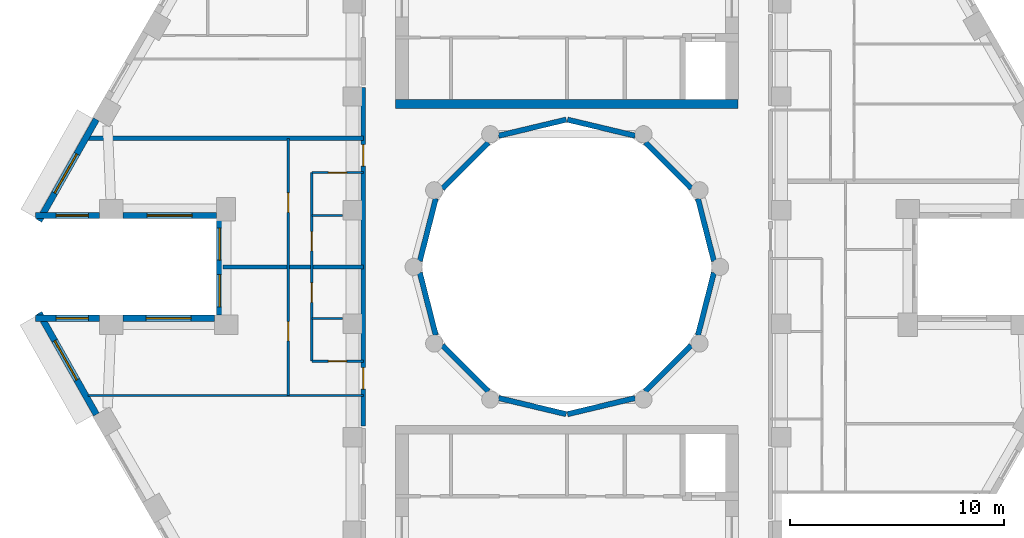
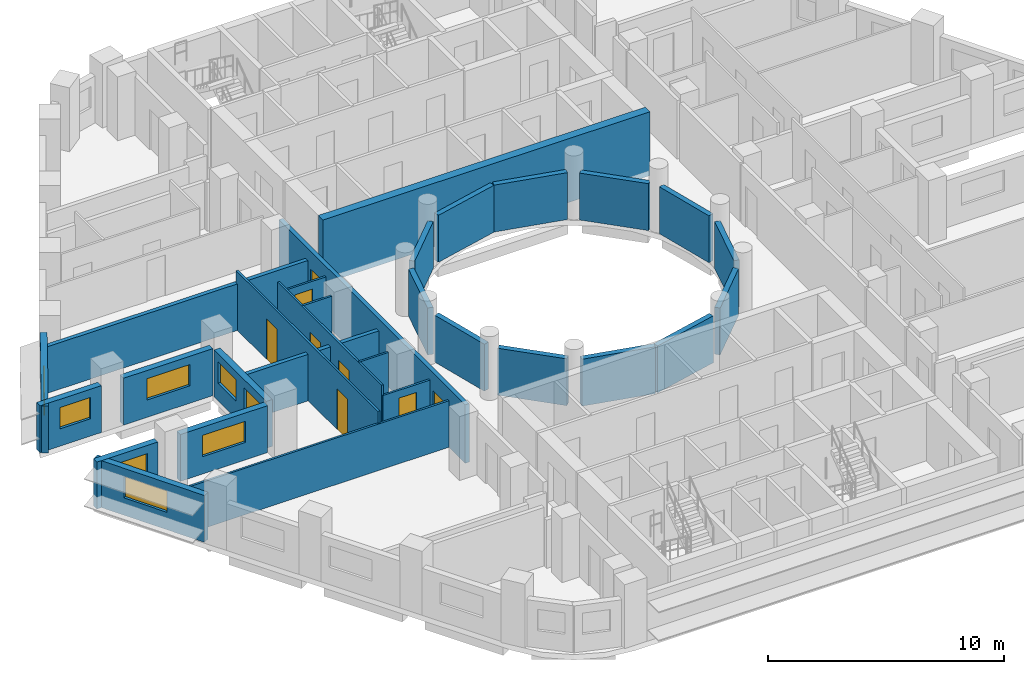
# One storey, part 4 of 12: 30 walls, 8 doors, 8 windows, 16 openings.
"""IFC4 building model written with IfcOpenShell, lengths in metres."""

from ifc_helpers import new_model, si_unit, direction, frame, frame_2d, origin, place, context, subcontext, project, spatial, rectangle, extrude, material, layer, layer_set, type_object, element, fill, save


model = new_model("IFC4")

# Units and contexts
model_context = context("Model", 3, precision=1e-05, world=origin(), true_north=direction((0.0, 1.0)))
body_context = subcontext(model_context, "Body", "Model", "MODEL_VIEW")
ifc_project = project(units=[si_unit("LENGTHUNIT", "METRE"), si_unit("AREAUNIT", "SQUARE_METRE"), si_unit("VOLUMEUNIT", "CUBIC_METRE"), si_unit("PLANEANGLEUNIT", "RADIAN"), si_unit("MASSUNIT", "GRAM", prefix="KILO")], contexts=[model_context])

# Site, building, storey
site_placement = place(None, origin())
site = spatial("IfcSite", under=ifc_project, at=site_placement, CompositionType="ELEMENT")
building_placement = place(site_placement, origin())
building = spatial("IfcBuilding", under=site, at=building_placement, Name="Nakaniwa Court", CompositionType="ELEMENT")
storey_placement = place(building_placement, frame((0.0, 0.0, 249.300048828125)))
storey = spatial("IfcBuildingStorey", under=building, at=storey_placement, Name="L65", CompositionType="ELEMENT", Elevation=249.300048828125)

# Wall, openings, doors
ifc_material_1 = material(Name="Acoustic double stud partition")
ifc_layer_1 = layer(ifc_material_1, 0.199951171875)
ifc_layer_set_1 = layer_set([ifc_layer_1], Name="Acoustic double stud partition")
wall_type_1 = type_object("IfcWallType", Name="Acoustic double stud partition 200", PredefinedType="PARTITIONING", material=ifc_layer_set_1)
wall_1_placement = place(storey_placement, frame((70.5, 72.576904296875, 0.0), z_axis=(0.0, 0.0, 1.0), x_axis=(0.0, 1.0, 0.0)))
wall_1 = element("IfcWall", 1, at=wall_1_placement, inside=storey, type_object=wall_type_1, Name="Partition PW-091", PredefinedType="PARTITIONING", context=body_context, shape_type="SweptSolid", body=[
    extrude(rectangle(XDim=15.7861328125, YDim=0.199951171875, at=frame_2d((7.89306640625, 0.0))), origin(), (0.0, 0.0, 1.0), 3.02490234375),
])
opening_1_placement = place(wall_1_placement, frame((1.722900390625, 0.0, 0.0)))
opening_1 = element("IfcOpeningElement", 2, at=opening_1_placement, cuts=wall_1, Name="Opening D-01-03", PredefinedType="OPENING", context=body_context, shape_type="SweptSolid", body=[
    extrude(rectangle(XDim=1.0, YDim=2.10009765625, at=frame_2d((0.5, 1.050048828125))), frame((0.0, 0.10986328125, 0.0), z_axis=(0.0, -1.0, 0.0), x_axis=(1.0, 0.0, 0.0)), (0.0, 0.0, 1.0), 0.219970703125),
])
opening_2_placement = place(wall_1_placement, frame((12.123046875, 0.0, 0.0)))
opening_2 = element("IfcOpeningElement", 3, at=opening_2_placement, cuts=wall_1, Name="Opening D-01-04", PredefinedType="OPENING", context=body_context, shape_type="SweptSolid", body=[
    extrude(rectangle(XDim=1.0, YDim=2.10009765625, at=frame_2d((0.5, 1.050048828125))), frame((0.0, 0.10986328125, 0.0), z_axis=(0.0, -1.0, 0.0), x_axis=(1.0, 0.0, 0.0)), (0.0, 0.0, 1.0), 0.219970703125),
])
ifc_material_2 = material(Name="Solid core timber door set, black veneer", Category="wood")
door_type_1 = type_object("IfcDoorType", Name="Flat entrance door 1000", OperationType="NOTDEFINED", PredefinedType="DOOR", material=ifc_material_2)
door_1_placement = place(opening_1_placement, origin())
door_1 = element("IfcDoor", 4, at=door_1_placement, inside=storey, type_object=door_type_1, Name="Door D-01-03 L65-047", OperationType="SINGLE_SWING_RIGHT", OverallHeight=2.10009765625, OverallWidth=1.0, PredefinedType="DOOR", context=body_context, shape_type="SweptSolid", body=[
    extrude(rectangle(XDim=1.0, YDim=2.10009765625, at=frame_2d((0.5, 1.050048828125))), frame((0.0, 0.02490234375, 0.0), z_axis=(0.0, -1.0, 0.0), x_axis=(1.0, 0.0, 0.0)), (0.0, 0.0, 1.0), 0.050048828125),
])
fill(opening_1, door_1)
door_2_placement = place(opening_2_placement, origin())
door_2 = element("IfcDoor", 5, at=door_2_placement, inside=storey, type_object=door_type_1, Name="Door D-01-04 L65-051", OperationType="SINGLE_SWING_RIGHT", OverallHeight=2.10009765625, OverallWidth=1.0, PredefinedType="DOOR", context=body_context, shape_type="SweptSolid", body=[
    extrude(rectangle(XDim=1.0, YDim=2.10009765625, at=frame_2d((0.5, 1.050048828125))), frame((0.0, 0.02490234375, 0.0), z_axis=(0.0, -1.0, 0.0), x_axis=(1.0, 0.0, 0.0)), (0.0, 0.0, 1.0), 0.050048828125),
])
fill(opening_2, door_2)

# Walls
wall_2_placement = place(storey_placement, frame((63.950439453125, 80.0, 0.0), z_axis=(0.0, 0.0, 1.0), x_axis=(1.0, 0.0, 0.0)))
element("IfcWall", 6, at=wall_2_placement, inside=storey, type_object=wall_type_1, Name="Partition PW-116", PredefinedType="PARTITIONING", context=body_context, shape_type="SweptSolid", body=[
    extrude(rectangle(XDim=6.549560546875, YDim=0.199951171875, at=frame_2d((3.27490234375, 0.0))), origin(), (0.0, 0.0, 1.0), 2.405029296875),
])
wall_3_placement = place(storey_placement, frame((57.656494140625, 86.0, 0.0), z_axis=(0.0, 0.0, 1.0), x_axis=(1.0, 0.0, 0.0)))
element("IfcWall", 7, at=wall_3_placement, inside=storey, type_object=wall_type_1, Name="Partition PW-120", PredefinedType="PARTITIONING", context=body_context, shape_type="SweptSolid", body=[
    extrude(rectangle(XDim=12.843505859375, YDim=0.199951171875, at=frame_2d((6.421875, 0.0))), origin(), (0.0, 0.0, 1.0), 2.405029296875),
])

# Wall, opening, window
ifc_material_3 = material(Name="Charcoal ceramic cladding")
ifc_layer_2 = layer(ifc_material_3, 0.02, Name="Ceramic cladding")
ifc_material_4 = material(Name="Ventilated air cavity")
ifc_layer_3 = layer(ifc_material_4, 0.04, ventilated=True, Name="Ventilated cavity")
ifc_material_5 = material(Name="Mineral wool insulation")
ifc_layer_4 = layer(ifc_material_5, 0.1, Name="Insulation")
ifc_material_6 = material(Name="Cement bonded sheathing board")
ifc_layer_5 = layer(ifc_material_6, 0.012, Name="Sheathing")
ifc_material_7 = material(Name="Cold-formed galvanised stud frame with mineral wool infill")
ifc_layer_6 = layer(ifc_material_7, 0.1, Name="Stud frame")
ifc_material_8 = material(Name="Fire-rated gypsum plasterboard lining")
ifc_layer_7 = layer(ifc_material_8, 0.028, Name="Lining")
ifc_layer_set_2 = layer_set([ifc_layer_2, ifc_layer_3, ifc_layer_4, ifc_layer_5, ifc_layer_6, ifc_layer_7], Name="Charcoal ceramic faced external wall system")
wall_type_2 = type_object("IfcWallType", Name="Black ceramic faced external wall 300", PredefinedType="SOLIDWALL", material=ifc_layer_set_2)
wall_4_placement = place(storey_placement, frame((58.048095703125, 86.886474609375, 0.0), z_axis=(0.0, 0.0, 1.0), x_axis=(-0.492080931903, -0.870549456641, 0.0)))
wall_4 = element("IfcWall", 8, at=wall_4_placement, inside=storey, type_object=wall_type_2, Name="L65 external wall 14", PredefinedType="SOLIDWALL", context=body_context, shape_type="SweptSolid", body=[
    extrude(rectangle(XDim=5.436767578125, YDim=0.300048828125, at=frame_2d((2.71826171875, 0.0))), origin(), (0.0, 0.0, 1.0), 2.425048828125),
])
opening_3_placement = place(wall_4_placement, frame((1.853759765625, 0.0, 0.89990234375)))
opening_3 = element("IfcOpeningElement", 9, at=opening_3_placement, cuts=wall_4, Name="Opening W7.15", PredefinedType="OPENING", context=body_context, shape_type="SweptSolid", body=[
    extrude(rectangle(XDim=2.10009765625, YDim=1.10009765625, at=frame_2d((1.050048828125, 0.550048828125))), frame((0.0, 0.159912109375, 0.0), z_axis=(0.0, -1.0, 0.0), x_axis=(1.0, 0.0, 0.0)), (0.0, 0.0, 1.0), 0.320068359375),
])
ifc_material_9 = material(Name="Black anodised aluminium frame with dark low-E laminated double glazing", Category="aluminium")
window_type_1 = type_object("IfcWindowType", Name="Dark glass window 2100x1100 sill 900", PartitioningType="SINGLE_PANEL", PredefinedType="WINDOW", material=ifc_material_9)
window_1_placement = place(opening_3_placement, origin())
window_1 = element("IfcWindow", 10, at=window_1_placement, inside=storey, type_object=window_type_1, Name="L65 living window 14-1", OverallHeight=1.10009765625, OverallWidth=2.10009765625, PartitioningType="SINGLE_PANEL", PredefinedType="WINDOW", context=body_context, shape_type="SweptSolid", body=[
    extrude(rectangle(XDim=2.10009765625, YDim=1.10009765625, at=frame_2d((1.050048828125, 0.550048828125))), frame((0.0, 0.030029296875, 0.0), z_axis=(0.0, -1.0, 0.0), x_axis=(1.0, 0.0, 0.0)), (0.0, 0.0, 1.0), 0.06005859375),
])
fill(opening_3, window_1)

wall_5_placement = place(storey_placement, frame((55.2021484375, 82.39990234375, 0.0), z_axis=(0.0, 0.0, 1.0), x_axis=(1.0, 0.0, 0.0)))
wall_5 = element("IfcWall", 11, at=wall_5_placement, inside=storey, type_object=wall_type_2, Name="L65 external wall 15", PredefinedType="SOLIDWALL", context=body_context, shape_type="SweptSolid", body=[
    extrude(rectangle(XDim=2.98779296875, YDim=0.300048828125, at=frame_2d((1.493896484375, 0.0))), origin(), (0.0, 0.0, 1.0), 2.425048828125),
])
opening_4_placement = place(wall_5_placement, frame((0.968994140625, 0.0, 0.89990234375)))
opening_4 = element("IfcOpeningElement", 12, at=opening_4_placement, cuts=wall_5, Name="Opening W5.16", PredefinedType="OPENING", context=body_context, shape_type="SweptSolid", body=[
    extrude(rectangle(XDim=1.5, YDim=1.10009765625, at=frame_2d((0.75, 0.550048828125))), frame((0.0, 0.159912109375, 0.0), z_axis=(0.0, -1.0, 0.0), x_axis=(1.0, 0.0, 0.0)), (0.0, 0.0, 1.0), 0.320068359375),
])
window_type_2 = type_object("IfcWindowType", Name="Dark glass window 1500x1100 sill 900", PartitioningType="SINGLE_PANEL", PredefinedType="WINDOW", material=ifc_material_9)
window_2_placement = place(opening_4_placement, origin())
window_2 = element("IfcWindow", 13, at=window_2_placement, inside=storey, type_object=window_type_2, Name="L65 living window 15-0", OverallHeight=1.10009765625, OverallWidth=1.5, PartitioningType="SINGLE_PANEL", PredefinedType="WINDOW", context=body_context, shape_type="SweptSolid", body=[
    extrude(rectangle(XDim=1.5, YDim=1.10009765625, at=frame_2d((0.75, 0.550048828125))), frame((0.0, 0.030029296875, 0.0), z_axis=(0.0, -1.0, 0.0), x_axis=(1.0, 0.0, 0.0)), (0.0, 0.0, 1.0), 0.06005859375),
])
fill(opening_4, window_2)

wall_6_placement = place(storey_placement, frame((59.281982421875, 82.39990234375, 0.0), z_axis=(0.0, 0.0, 1.0), x_axis=(1.0, 0.0, 0.0)))
wall_6 = element("IfcWall", 14, at=wall_6_placement, inside=storey, type_object=wall_type_2, Name="L65 external wall 16", PredefinedType="SOLIDWALL", context=body_context, shape_type="SweptSolid", body=[
    extrude(rectangle(XDim=4.37255859375, YDim=0.300048828125, at=frame_2d((2.186279296875, 0.0))), origin(), (0.0, 0.0, 1.0), 2.425048828125),
])
opening_5_placement = place(wall_6_placement, frame((1.13623046875, 0.0, 0.89990234375)))
opening_5 = element("IfcOpeningElement", 15, at=opening_5_placement, cuts=wall_6, Name="Opening W7.17", PredefinedType="OPENING", context=body_context, shape_type="SweptSolid", body=[
    extrude(rectangle(XDim=2.10009765625, YDim=1.10009765625, at=frame_2d((1.050048828125, 0.550048828125))), frame((0.0, 0.159912109375, 0.0), z_axis=(0.0, -1.0, 0.0), x_axis=(1.0, 0.0, 0.0)), (0.0, 0.0, 1.0), 0.320068359375),
])
window_3_placement = place(opening_5_placement, origin())
window_3 = element("IfcWindow", 16, at=window_3_placement, inside=storey, type_object=window_type_1, Name="L65 living window 16-0", OverallHeight=1.10009765625, OverallWidth=2.10009765625, PartitioningType="SINGLE_PANEL", PredefinedType="WINDOW", context=body_context, shape_type="SweptSolid", body=[
    extrude(rectangle(XDim=2.10009765625, YDim=1.10009765625, at=frame_2d((1.050048828125, 0.550048828125))), frame((0.0, 0.030029296875, 0.0), z_axis=(0.0, -1.0, 0.0), x_axis=(1.0, 0.0, 0.0)), (0.0, 0.0, 1.0), 0.06005859375),
])
fill(opening_5, window_3)

# Wall, openings, windows
wall_7_placement = place(storey_placement, frame((63.800537109375, 82.154052734375, 0.0), z_axis=(0.0, 0.0, 1.0), x_axis=(0.0, -1.0, 0.0)))
wall_7 = element("IfcWall", 17, at=wall_7_placement, inside=storey, type_object=wall_type_2, Name="L65 external wall 17", PredefinedType="SOLIDWALL", context=body_context, shape_type="SweptSolid", body=[
    extrude(rectangle(XDim=4.407958984375, YDim=0.300048828125, at=frame_2d((2.2041015625, 0.0))), origin(), (0.0, 0.0, 1.0), 2.425048828125),
])
opening_6_placement = place(wall_7_placement, frame((0.339111328125, 0.0, 0.89990234375)))
opening_6 = element("IfcOpeningElement", 18, at=opening_6_placement, cuts=wall_7, Name="Opening W5.18", PredefinedType="OPENING", context=body_context, shape_type="SweptSolid", body=[
    extrude(rectangle(XDim=1.5, YDim=1.10009765625, at=frame_2d((0.75, 0.550048828125))), frame((0.0, 0.159912109375, 0.0), z_axis=(0.0, -1.0, 0.0), x_axis=(1.0, 0.0, 0.0)), (0.0, 0.0, 1.0), 0.320068359375),
])
opening_7_placement = place(wall_7_placement, frame((2.51904296875, 0.0, 0.89990234375)))
opening_7 = element("IfcOpeningElement", 19, at=opening_7_placement, cuts=wall_7, Name="Opening W5.19", PredefinedType="OPENING", context=body_context, shape_type="SweptSolid", body=[
    extrude(rectangle(XDim=1.5, YDim=1.10009765625, at=frame_2d((0.75, 0.550048828125))), frame((0.0, 0.159912109375, 0.0), z_axis=(0.0, -1.0, 0.0), x_axis=(1.0, 0.0, 0.0)), (0.0, 0.0, 1.0), 0.320068359375),
])
window_4_placement = place(opening_6_placement, origin())
window_4 = element("IfcWindow", 20, at=window_4_placement, inside=storey, type_object=window_type_2, Name="L65 living window 17-0", OverallHeight=1.10009765625, OverallWidth=1.5, PartitioningType="SINGLE_PANEL", PredefinedType="WINDOW", context=body_context, shape_type="SweptSolid", body=[
    extrude(rectangle(XDim=1.5, YDim=1.10009765625, at=frame_2d((0.75, 0.550048828125))), frame((0.0, 0.030029296875, 0.0), z_axis=(0.0, -1.0, 0.0), x_axis=(1.0, 0.0, 0.0)), (0.0, 0.0, 1.0), 0.06005859375),
])
fill(opening_6, window_4)
window_5_placement = place(opening_7_placement, origin())
window_5 = element("IfcWindow", 21, at=window_5_placement, inside=storey, type_object=window_type_2, Name="L65 living window 17-1", OverallHeight=1.10009765625, OverallWidth=1.5, PartitioningType="SINGLE_PANEL", PredefinedType="WINDOW", context=body_context, shape_type="SweptSolid", body=[
    extrude(rectangle(XDim=1.5, YDim=1.10009765625, at=frame_2d((0.75, 0.550048828125))), frame((0.0, 0.030029296875, 0.0), z_axis=(0.0, -1.0, 0.0), x_axis=(1.0, 0.0, 0.0)), (0.0, 0.0, 1.0), 0.06005859375),
])
fill(opening_7, window_5)

# Wall, opening, window
wall_8_placement = place(storey_placement, frame((63.554443359375, 77.60009765625, 0.0), z_axis=(0.0, 0.0, 1.0), x_axis=(-1.0, 0.0, 0.0)))
wall_8 = element("IfcWall", 22, at=wall_8_placement, inside=storey, type_object=wall_type_2, Name="L65 external wall 18", PredefinedType="SOLIDWALL", context=body_context, shape_type="SweptSolid", body=[
    extrude(rectangle(XDim=4.2724609375, YDim=0.300048828125, at=frame_2d((2.13623046875, 0.0))), origin(), (0.0, 0.0, 1.0), 2.425048828125),
])
opening_8_placement = place(wall_8_placement, frame((1.086181640625, 0.0, 0.89990234375)))
opening_8 = element("IfcOpeningElement", 23, at=opening_8_placement, cuts=wall_8, Name="Opening W7.20", PredefinedType="OPENING", context=body_context, shape_type="SweptSolid", body=[
    extrude(rectangle(XDim=2.10009765625, YDim=1.10009765625, at=frame_2d((1.050048828125, 0.550048828125))), frame((0.0, 0.159912109375, 0.0), z_axis=(0.0, -1.0, 0.0), x_axis=(1.0, 0.0, 0.0)), (0.0, 0.0, 1.0), 0.320068359375),
])
window_6_placement = place(opening_8_placement, origin())
window_6 = element("IfcWindow", 24, at=window_6_placement, inside=storey, type_object=window_type_1, Name="L65 living window 18-0", OverallHeight=1.10009765625, OverallWidth=2.10009765625, PartitioningType="SINGLE_PANEL", PredefinedType="WINDOW", context=body_context, shape_type="SweptSolid", body=[
    extrude(rectangle(XDim=2.10009765625, YDim=1.10009765625, at=frame_2d((1.050048828125, 0.550048828125))), frame((0.0, 0.030029296875, 0.0), z_axis=(0.0, -1.0, 0.0), x_axis=(1.0, 0.0, 0.0)), (0.0, 0.0, 1.0), 0.06005859375),
])
fill(opening_8, window_6)

wall_9_placement = place(storey_placement, frame((58.18994140625, 77.60009765625, 0.0), z_axis=(0.0, 0.0, 1.0), x_axis=(-1.0, 0.0, 0.0)))
wall_9 = element("IfcWall", 25, at=wall_9_placement, inside=storey, type_object=wall_type_2, Name="L65 external wall 19", PredefinedType="SOLIDWALL", context=body_context, shape_type="SweptSolid", body=[
    extrude(rectangle(XDim=2.98779296875, YDim=0.300048828125, at=frame_2d((1.493896484375, 0.0))), origin(), (0.0, 0.0, 1.0), 2.425048828125),
])
opening_9_placement = place(wall_9_placement, frame((0.51904296875, 0.0, 0.89990234375)))
opening_9 = element("IfcOpeningElement", 26, at=opening_9_placement, cuts=wall_9, Name="Opening W5.21", PredefinedType="OPENING", context=body_context, shape_type="SweptSolid", body=[
    extrude(rectangle(XDim=1.5, YDim=1.10009765625, at=frame_2d((0.75, 0.550048828125))), frame((0.0, 0.159912109375, 0.0), z_axis=(0.0, -1.0, 0.0), x_axis=(1.0, 0.0, 0.0)), (0.0, 0.0, 1.0), 0.320068359375),
])
window_7_placement = place(opening_9_placement, origin())
window_7 = element("IfcWindow", 27, at=window_7_placement, inside=storey, type_object=window_type_2, Name="L65 living window 19-0", OverallHeight=1.10009765625, OverallWidth=1.5, PartitioningType="SINGLE_PANEL", PredefinedType="WINDOW", context=body_context, shape_type="SweptSolid", body=[
    extrude(rectangle(XDim=1.5, YDim=1.10009765625, at=frame_2d((0.75, 0.550048828125))), frame((0.0, 0.030029296875, 0.0), z_axis=(0.0, -1.0, 0.0), x_axis=(1.0, 0.0, 0.0)), (0.0, 0.0, 1.0), 0.06005859375),
])
fill(opening_9, window_7)

wall_10_placement = place(storey_placement, frame((55.372802734375, 77.846435546875, 0.0), z_axis=(0.0, 0.0, 1.0), x_axis=(0.492080931903, -0.870549456641, 0.0)))
wall_10 = element("IfcWall", 28, at=wall_10_placement, inside=storey, type_object=wall_type_2, Name="L65 external wall 20", PredefinedType="SOLIDWALL", context=body_context, shape_type="SweptSolid", body=[
    extrude(rectangle(XDim=5.436767578125, YDim=0.300048828125, at=frame_2d((2.71826171875, 0.0))), origin(), (0.0, 0.0, 1.0), 2.425048828125),
])
opening_10_placement = place(wall_10_placement, frame((1.483154296875, 0.0, 0.89990234375)))
opening_10 = element("IfcOpeningElement", 29, at=opening_10_placement, cuts=wall_10, Name="Opening W7.22", PredefinedType="OPENING", context=body_context, shape_type="SweptSolid", body=[
    extrude(rectangle(XDim=2.10009765625, YDim=1.10009765625, at=frame_2d((1.050048828125, 0.550048828125))), frame((0.0, 0.159912109375, 0.0), z_axis=(0.0, -1.0, 0.0), x_axis=(1.0, 0.0, 0.0)), (0.0, 0.0, 1.0), 0.320068359375),
])
window_8_placement = place(opening_10_placement, origin())
window_8 = element("IfcWindow", 30, at=window_8_placement, inside=storey, type_object=window_type_1, Name="L65 living window 20-0", OverallHeight=1.10009765625, OverallWidth=2.10009765625, PartitioningType="SINGLE_PANEL", PredefinedType="WINDOW", context=body_context, shape_type="SweptSolid", body=[
    extrude(rectangle(XDim=2.10009765625, YDim=1.10009765625, at=frame_2d((1.050048828125, 0.550048828125))), frame((0.0, 0.030029296875, 0.0), z_axis=(0.0, -1.0, 0.0), x_axis=(1.0, 0.0, 0.0)), (0.0, 0.0, 1.0), 0.06005859375),
])
fill(opening_10, window_8)

# Walls
ifc_layer_8 = layer(ifc_material_3, 0.02, Name="Ceramic cladding")
ifc_layer_9 = layer(ifc_material_4, 0.04, ventilated=True, Name="Ventilated cavity")
ifc_layer_10 = layer(ifc_material_5, 0.075, Name="Insulation")
ifc_layer_11 = layer(ifc_material_6, 0.012, Name="Sheathing")
ifc_layer_12 = layer(ifc_material_7, 0.075, Name="Stud frame")
ifc_layer_13 = layer(ifc_material_8, 0.028, Name="Lining")
ifc_layer_set_3 = layer_set([ifc_layer_8, ifc_layer_9, ifc_layer_10, ifc_layer_11, ifc_layer_12, ifc_layer_13], Name="Charcoal ceramic faced external wall system")
wall_type_3 = type_object("IfcWallType", Name="Charcoal ceramic faced well wall 250", PredefinedType="SOLIDWALL", material=ifc_layer_set_3)
wall_11_placement = place(storey_placement, frame((86.8603515625, 79.72998046875, 0.0), z_axis=(0.0, 0.0, 1.0), x_axis=(-0.247055971283, -0.969001211069, 0.0)))
element("IfcWall", 31, at=wall_11_placement, inside=storey, type_object=wall_type_3, Name="L65 external wall 36", PredefinedType="SOLIDWALL", context=body_context, shape_type="SweptSolid", body=[
    extrude(rectangle(XDim=3.010009765625, YDim=0.25, at=frame_2d((1.5048828125, 0.0))), origin(), (0.0, 0.0, 1.0), 2.425048828125),
])
wall_12_placement = place(storey_placement, frame((85.8056640625, 76.339111328125, 0.0), z_axis=(0.0, 0.0, 1.0), x_axis=(-0.707106781187, -0.707106781187, 0.0)))
element("IfcWall", 32, at=wall_12_placement, inside=storey, type_object=wall_type_3, Name="L65 external wall 37", PredefinedType="SOLIDWALL", context=body_context, shape_type="SweptSolid", body=[
    extrude(rectangle(XDim=3.033203125, YDim=0.25, at=frame_2d((1.5166015625, 0.0))), origin(), (0.0, 0.0, 1.0), 2.425048828125),
])
for number, where, z_axis, x_axis, name in (
    (33, (83.186279296875, 73.880615234375, 0.0), (0.0, 0.0, 1.0), (-0.972773113459, -0.231759508395, 0.0), "L65 external wall 38"),
    (34, (79.970947265625, 73.12841796875, 0.0), (0.0, 0.0, 1.0), (-0.972773113459, 0.231759508395, 0.0), "L65 external wall 39"),
):
    element("IfcWall", number, at=place(storey_placement, frame(where, z_axis=z_axis, x_axis=x_axis)), inside=storey, type_object=wall_type_3, Name=name, PredefinedType="SOLIDWALL", context=body_context, shape_type="SweptSolid", body=[
        extrude(rectangle(XDim=3.24560546875, YDim=0.25, at=frame_2d((1.622802734375, 0.0))), origin(), (0.0, 0.0, 1.0), 2.425048828125),
    ])
wall_13_placement = place(storey_placement, frame((76.339111328125, 74.1943359375, 0.0), z_axis=(0.0, 0.0, 1.0), x_axis=(-0.707106781187, 0.707106781187, 0.0)))
element("IfcWall", 35, at=wall_13_placement, inside=storey, type_object=wall_type_3, Name="L65 external wall 40", PredefinedType="SOLIDWALL", context=body_context, shape_type="SweptSolid", body=[
    extrude(rectangle(XDim=3.033203125, YDim=0.25, at=frame_2d((1.5166015625, 0.0))), origin(), (0.0, 0.0, 1.0), 2.425048828125),
])
for number, where, z_axis, x_axis, name in (
    (36, (73.88330078125, 76.813232421875, 0.0), (0.0, 0.0, 1.0), (-0.247055971283, 0.969001211069, 0.0), "L65 external wall 41"),
    (37, (73.1396484375, 80.27001953125, 0.0), (0.0, 0.0, 1.0), (0.247055971283, 0.969001211069, 0.0), "L65 external wall 42"),
):
    element("IfcWall", number, at=place(storey_placement, frame(where, z_axis=z_axis, x_axis=x_axis)), inside=storey, type_object=wall_type_3, Name=name, PredefinedType="SOLIDWALL", context=body_context, shape_type="SweptSolid", body=[
        extrude(rectangle(XDim=3.010009765625, YDim=0.25, at=frame_2d((1.5048828125, 0.0))), origin(), (0.0, 0.0, 1.0), 2.425048828125),
    ])
wall_14_placement = place(storey_placement, frame((74.1943359375, 83.660888671875, 0.0), z_axis=(0.0, 0.0, 1.0), x_axis=(0.707106781187, 0.707106781187, 0.0)))
element("IfcWall", 38, at=wall_14_placement, inside=storey, type_object=wall_type_3, Name="L65 external wall 43", PredefinedType="SOLIDWALL", context=body_context, shape_type="SweptSolid", body=[
    extrude(rectangle(XDim=3.033203125, YDim=0.25, at=frame_2d((1.5166015625, 0.0))), origin(), (0.0, 0.0, 1.0), 2.425048828125),
])
for number, where, z_axis, x_axis, name in (
    (39, (76.813720703125, 86.119384765625, 0.0), (0.0, 0.0, 1.0), (0.972773113459, 0.231759508395, 0.0), "L65 external wall 44"),
    (40, (80.029052734375, 86.87158203125, 0.0), (0.0, 0.0, 1.0), (0.972773113459, -0.231759508395, 0.0), "L65 external wall 45"),
):
    element("IfcWall", number, at=place(storey_placement, frame(where, z_axis=z_axis, x_axis=x_axis)), inside=storey, type_object=wall_type_3, Name=name, PredefinedType="SOLIDWALL", context=body_context, shape_type="SweptSolid", body=[
        extrude(rectangle(XDim=3.24560546875, YDim=0.25, at=frame_2d((1.622802734375, 0.0))), origin(), (0.0, 0.0, 1.0), 2.425048828125),
    ])
wall_15_placement = place(storey_placement, frame((83.660888671875, 85.8056640625, 0.0), z_axis=(0.0, 0.0, 1.0), x_axis=(0.707106781187, -0.707106781187, 0.0)))
element("IfcWall", 41, at=wall_15_placement, inside=storey, type_object=wall_type_3, Name="L65 external wall 46", PredefinedType="SOLIDWALL", context=body_context, shape_type="SweptSolid", body=[
    extrude(rectangle(XDim=3.033203125, YDim=0.25, at=frame_2d((1.5166015625, 0.0))), origin(), (0.0, 0.0, 1.0), 2.425048828125),
])
wall_16_placement = place(storey_placement, frame((86.11669921875, 83.186767578125, 0.0), z_axis=(0.0, 0.0, 1.0), x_axis=(0.247055971283, -0.969001211069, 0.0)))
element("IfcWall", 42, at=wall_16_placement, inside=storey, type_object=wall_type_3, Name="L65 external wall 47", PredefinedType="SOLIDWALL", context=body_context, shape_type="SweptSolid", body=[
    extrude(rectangle(XDim=3.010009765625, YDim=0.25, at=frame_2d((1.5048828125, 0.0))), origin(), (0.0, 0.0, 1.0), 2.425048828125),
])
ifc_material_10 = material(Name="Concrete C80/100", Category="concrete")
ifc_layer_14 = layer(ifc_material_10, 0.39990234375)
ifc_layer_set_4 = layer_set([ifc_layer_14], Name="Concrete C80/100")
wall_type_4 = type_object("IfcWallType", Name="Concrete core well wall 400 C80", PredefinedType="SHEAR", material=ifc_layer_set_4)
wall_17_placement = place(storey_placement, frame((72.00390625, 87.60009765625, -0.275146484375), z_axis=(0.0, 0.0, 1.0), x_axis=(1.0, 0.0, 0.0)))
element("IfcWall", 43, at=wall_17_placement, inside=storey, type_object=wall_type_4, Name="Core wall SW-125", PredefinedType="SHEAR", context=body_context, shape_type="SweptSolid", body=[
    extrude(rectangle(XDim=15.9921875, YDim=0.39990234375, at=frame_2d((7.99609375, 0.0))), origin(), (0.0, 0.0, 1.0), 3.300048828125),
])
ifc_material_11 = material(Name="Single stud plasterboard partition")
ifc_layer_15 = layer(ifc_material_11, 0.10009765625)
ifc_layer_set_5 = layer_set([ifc_layer_15], Name="Single stud plasterboard partition")
wall_type_5 = type_object("IfcWallType", Name="Single stud plasterboard partition 100", PredefinedType="PARTITIONING", material=ifc_layer_set_5)
wall_18_placement = place(storey_placement, frame((57.656494140625, 74.0, 0.0), z_axis=(0.0, 0.0, 1.0), x_axis=(1.0, 0.0, 0.0)))
element("IfcWall", 44, at=wall_18_placement, inside=storey, type_object=wall_type_5, Name="Partition PW-112", PredefinedType="PARTITIONING", context=body_context, shape_type="SweptSolid", body=[
    extrude(rectangle(XDim=12.843505859375, YDim=0.10009765625, at=frame_2d((6.421875, 0.0))), origin(), (0.0, 0.0, 1.0), 2.405029296875),
])
wall_19_placement = place(storey_placement, frame((68.10009765625, 77.60009765625, 0.0), z_axis=(0.0, 0.0, 1.0), x_axis=(1.0, 0.0, 0.0)))
element("IfcWall", 45, at=wall_19_placement, inside=storey, type_object=wall_type_5, Name="Partition PW-113", PredefinedType="PARTITIONING", context=body_context, shape_type="SweptSolid", body=[
    extrude(rectangle(XDim=1.429931640625, YDim=0.10009765625, at=frame_2d((0.71484375, 0.0))), origin(), (0.0, 0.0, 1.0), 3.02490234375),
])

# Wall, opening, door
wall_20_placement = place(storey_placement, frame((68.10009765625, 75.60009765625, 0.0), z_axis=(0.0, 0.0, 1.0), x_axis=(1.0, 0.0, 0.0)))
wall_20 = element("IfcWall", 46, at=wall_20_placement, inside=storey, type_object=wall_type_5, Name="Partition PW-114", PredefinedType="PARTITIONING", context=body_context, shape_type="SweptSolid", body=[
    extrude(rectangle(XDim=2.39990234375, YDim=0.10009765625, at=frame_2d((1.199951171875, 0.0))), origin(), (0.0, 0.0, 1.0), 2.5048828125),
])
opening_11_placement = place(wall_20_placement, frame((0.77490234375, 0.0, 0.0)))
opening_11 = element("IfcOpeningElement", 47, at=opening_11_placement, cuts=wall_20, Name="Opening D-03-04", PredefinedType="OPENING", context=body_context, shape_type="SweptSolid", body=[
    extrude(rectangle(XDim=0.85009765625, YDim=2.10009765625, at=frame_2d((0.425048828125, 1.050048828125))), frame((0.0, 0.06005859375, 0.0), z_axis=(0.0, -1.0, 0.0), x_axis=(1.0, 0.0, 0.0)), (0.0, 0.0, 1.0), 0.1201171875),
])
ifc_material_12 = material(Name="Moisture sealed timber door set", Category="wood")
door_type_2 = type_object("IfcDoorType", Name="Bathroom door 850", OperationType="NOTDEFINED", PredefinedType="DOOR", material=ifc_material_12)
door_3_placement = place(opening_11_placement, origin())
door_3 = element("IfcDoor", 48, at=door_3_placement, inside=storey, type_object=door_type_2, Name="Door D-03-04 L65-048", OperationType="SINGLE_SWING_LEFT", OverallHeight=2.10009765625, OverallWidth=0.85009765625, PredefinedType="DOOR", context=body_context, shape_type="SweptSolid", body=[
    extrude(rectangle(XDim=0.85009765625, YDim=2.10009765625, at=frame_2d((0.425048828125, 1.050048828125))), frame((0.0, 0.02490234375, 0.0), z_axis=(0.0, -1.0, 0.0), x_axis=(1.0, 0.0, 0.0)), (0.0, 0.0, 1.0), 0.050048828125),
])
fill(opening_11, door_3)

# Wall, openings, doors
wall_21_placement = place(storey_placement, frame((68.10009765625, 84.39990234375, 0.0), z_axis=(0.0, 0.0, 1.0), x_axis=(0.0, -1.0, 0.0)))
wall_21 = element("IfcWall", 49, at=wall_21_placement, inside=storey, type_object=wall_type_5, Name="Partition PW-115", PredefinedType="PARTITIONING", context=body_context, shape_type="SweptSolid", body=[
    extrude(rectangle(XDim=8.7998046875, YDim=0.10009765625, at=frame_2d((4.39990234375, 0.0))), origin(), (0.0, 0.0, 1.0), 3.02490234375),
])
opening_12_placement = place(wall_21_placement, frame((5.14990234375, 0.0, 0.0)))
opening_12 = element("IfcOpeningElement", 50, at=opening_12_placement, cuts=wall_21, Name="Opening D-33-10", PredefinedType="OPENING", context=body_context, shape_type="SweptSolid", body=[
    extrude(rectangle(XDim=0.89990234375, YDim=2.10009765625, at=frame_2d((0.449951171875, 1.050048828125))), frame((0.0, 0.06005859375, 0.0), z_axis=(0.0, -1.0, 0.0), x_axis=(1.0, 0.0, 0.0)), (0.0, 0.0, 1.0), 0.1201171875),
])
opening_13_placement = place(wall_21_placement, frame((2.75, 0.0, 0.0)))
opening_13 = element("IfcOpeningElement", 51, at=opening_13_placement, cuts=wall_21, Name="Opening D-33-12", PredefinedType="OPENING", context=body_context, shape_type="SweptSolid", body=[
    extrude(rectangle(XDim=0.89990234375, YDim=2.10009765625, at=frame_2d((0.449951171875, 1.050048828125))), frame((0.0, 0.06005859375, 0.0), z_axis=(0.0, -1.0, 0.0), x_axis=(1.0, 0.0, 0.0)), (0.0, 0.0, 1.0), 0.1201171875),
])
door_type_3 = type_object("IfcDoorType", Name="Internal door 900", OperationType="NOTDEFINED", PredefinedType="DOOR", material=ifc_material_2)
door_4_placement = place(opening_12_placement, origin())
door_4 = element("IfcDoor", 52, at=door_4_placement, inside=storey, type_object=door_type_3, Name="Door D-33-10 L65-049", OperationType="SINGLE_SWING_RIGHT", OverallHeight=2.10009765625, OverallWidth=0.89990234375, PredefinedType="DOOR", context=body_context, shape_type="SweptSolid", body=[
    extrude(rectangle(XDim=0.89990234375, YDim=2.10009765625, at=frame_2d((0.449951171875, 1.050048828125))), frame((0.0, 0.02490234375, 0.0), z_axis=(0.0, -1.0, 0.0), x_axis=(1.0, 0.0, 0.0)), (0.0, 0.0, 1.0), 0.050048828125),
])
fill(opening_12, door_4)
door_5_placement = place(opening_13_placement, origin())
door_5 = element("IfcDoor", 53, at=door_5_placement, inside=storey, type_object=door_type_3, Name="Door D-33-12 L65-052", OperationType="SINGLE_SWING_LEFT", OverallHeight=2.10009765625, OverallWidth=0.89990234375, PredefinedType="DOOR", context=body_context, shape_type="SweptSolid", body=[
    extrude(rectangle(XDim=0.89990234375, YDim=2.10009765625, at=frame_2d((0.449951171875, 1.050048828125))), frame((0.0, 0.02490234375, 0.0), z_axis=(0.0, -1.0, 0.0), x_axis=(1.0, 0.0, 0.0)), (0.0, 0.0, 1.0), 0.050048828125),
])
fill(opening_13, door_5)

wall_22_placement = place(storey_placement, frame((67.0, 74.0, 0.0), z_axis=(0.0, 0.0, 1.0), x_axis=(0.0, 1.0, 0.0)))
wall_22 = element("IfcWall", 54, at=wall_22_placement, inside=storey, type_object=wall_type_5, Name="Partition PW-117", PredefinedType="PARTITIONING", context=body_context, shape_type="SweptSolid", body=[
    extrude(rectangle(XDim=12.0, YDim=0.10009765625, at=frame_2d((6.0, 0.0))), origin(), (0.0, 0.0, 1.0), 3.02490234375),
])
opening_14_placement = place(wall_22_placement, frame((2.550048828125, 0.0, 0.0)))
opening_14 = element("IfcOpeningElement", 55, at=opening_14_placement, cuts=wall_22, Name="Opening D-33-11", PredefinedType="OPENING", context=body_context, shape_type="SweptSolid", body=[
    extrude(rectangle(XDim=0.89990234375, YDim=2.10009765625, at=frame_2d((0.449951171875, 1.050048828125))), frame((0.0, 0.06005859375, 0.0), z_axis=(0.0, -1.0, 0.0), x_axis=(1.0, 0.0, 0.0)), (0.0, 0.0, 1.0), 0.1201171875),
])
opening_15_placement = place(wall_22_placement, frame((8.550048828125, 0.0, 0.0)))
opening_15 = element("IfcOpeningElement", 56, at=opening_15_placement, cuts=wall_22, Name="Opening D-33-13", PredefinedType="OPENING", context=body_context, shape_type="SweptSolid", body=[
    extrude(rectangle(XDim=0.89990234375, YDim=2.10009765625, at=frame_2d((0.449951171875, 1.050048828125))), frame((0.0, 0.06005859375, 0.0), z_axis=(0.0, -1.0, 0.0), x_axis=(1.0, 0.0, 0.0)), (0.0, 0.0, 1.0), 0.1201171875),
])
door_6_placement = place(opening_14_placement, origin())
door_6 = element("IfcDoor", 57, at=door_6_placement, inside=storey, type_object=door_type_3, Name="Door D-33-11 L65-050", OperationType="SINGLE_SWING_LEFT", OverallHeight=2.10009765625, OverallWidth=0.89990234375, PredefinedType="DOOR", context=body_context, shape_type="SweptSolid", body=[
    extrude(rectangle(XDim=0.89990234375, YDim=2.10009765625, at=frame_2d((0.449951171875, 1.050048828125))), frame((0.0, 0.02490234375, 0.0), z_axis=(0.0, -1.0, 0.0), x_axis=(1.0, 0.0, 0.0)), (0.0, 0.0, 1.0), 0.050048828125),
])
fill(opening_14, door_6)
door_7_placement = place(opening_15_placement, origin())
door_7 = element("IfcDoor", 58, at=door_7_placement, inside=storey, type_object=door_type_3, Name="Door D-33-13 L65-054", OperationType="SINGLE_SWING_LEFT", OverallHeight=2.10009765625, OverallWidth=0.89990234375, PredefinedType="DOOR", context=body_context, shape_type="SweptSolid", body=[
    extrude(rectangle(XDim=0.89990234375, YDim=2.10009765625, at=frame_2d((0.449951171875, 1.050048828125))), frame((0.0, 0.02490234375, 0.0), z_axis=(0.0, -1.0, 0.0), x_axis=(1.0, 0.0, 0.0)), (0.0, 0.0, 1.0), 0.050048828125),
])
fill(opening_15, door_7)

# Wall
wall_23_placement = place(storey_placement, frame((68.10009765625, 82.39990234375, 0.0), z_axis=(0.0, 0.0, 1.0), x_axis=(1.0, 0.0, 0.0)))
element("IfcWall", 59, at=wall_23_placement, inside=storey, type_object=wall_type_5, Name="Partition PW-118", PredefinedType="PARTITIONING", context=body_context, shape_type="SweptSolid", body=[
    extrude(rectangle(XDim=1.429931640625, YDim=0.10009765625, at=frame_2d((0.71484375, 0.0))), origin(), (0.0, 0.0, 1.0), 3.02490234375),
])

# Wall, opening, door
wall_24_placement = place(storey_placement, frame((70.5, 84.39990234375, 0.0), z_axis=(0.0, 0.0, 1.0), x_axis=(-1.0, 0.0, 0.0)))
wall_24 = element("IfcWall", 60, at=wall_24_placement, inside=storey, type_object=wall_type_5, Name="Partition PW-119", PredefinedType="PARTITIONING", context=body_context, shape_type="SweptSolid", body=[
    extrude(rectangle(XDim=2.39990234375, YDim=0.10009765625, at=frame_2d((1.199951171875, 0.0))), origin(), (0.0, 0.0, 1.0), 2.5048828125),
])
opening_16_placement = place(wall_24_placement, frame((0.77490234375, 0.0, 0.0)))
opening_16 = element("IfcOpeningElement", 61, at=opening_16_placement, cuts=wall_24, Name="Opening D-03-05", PredefinedType="OPENING", context=body_context, shape_type="SweptSolid", body=[
    extrude(rectangle(XDim=0.85009765625, YDim=2.10009765625, at=frame_2d((0.425048828125, 1.050048828125))), frame((0.0, 0.06005859375, 0.0), z_axis=(0.0, -1.0, 0.0), x_axis=(1.0, 0.0, 0.0)), (0.0, 0.0, 1.0), 0.1201171875),
])
door_8_placement = place(opening_16_placement, origin())
door_8 = element("IfcDoor", 62, at=door_8_placement, inside=storey, type_object=door_type_2, Name="Door D-03-05 L65-053", OperationType="SINGLE_SWING_RIGHT", OverallHeight=2.10009765625, OverallWidth=0.85009765625, PredefinedType="DOOR", context=body_context, shape_type="SweptSolid", body=[
    extrude(rectangle(XDim=0.85009765625, YDim=2.10009765625, at=frame_2d((0.425048828125, 1.050048828125))), frame((0.0, 0.02490234375, 0.0), z_axis=(0.0, -1.0, 0.0), x_axis=(1.0, 0.0, 0.0)), (0.0, 0.0, 1.0), 0.050048828125),
])
fill(opening_16, door_8)

save(model, "model.ifc")
